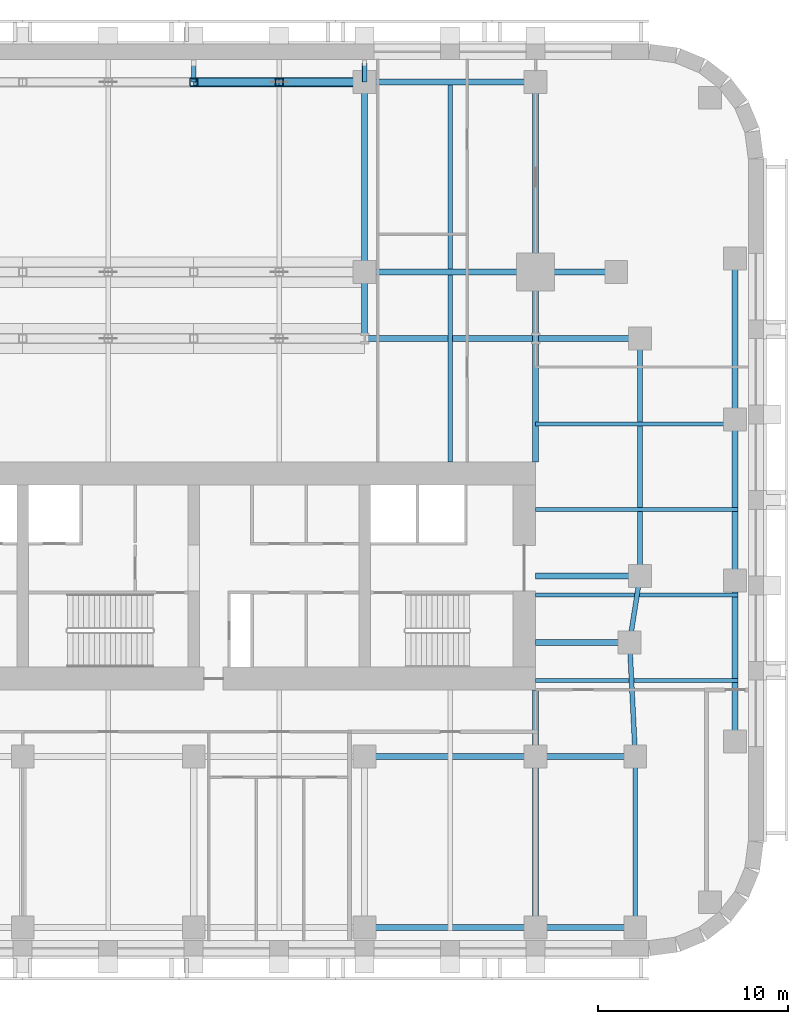
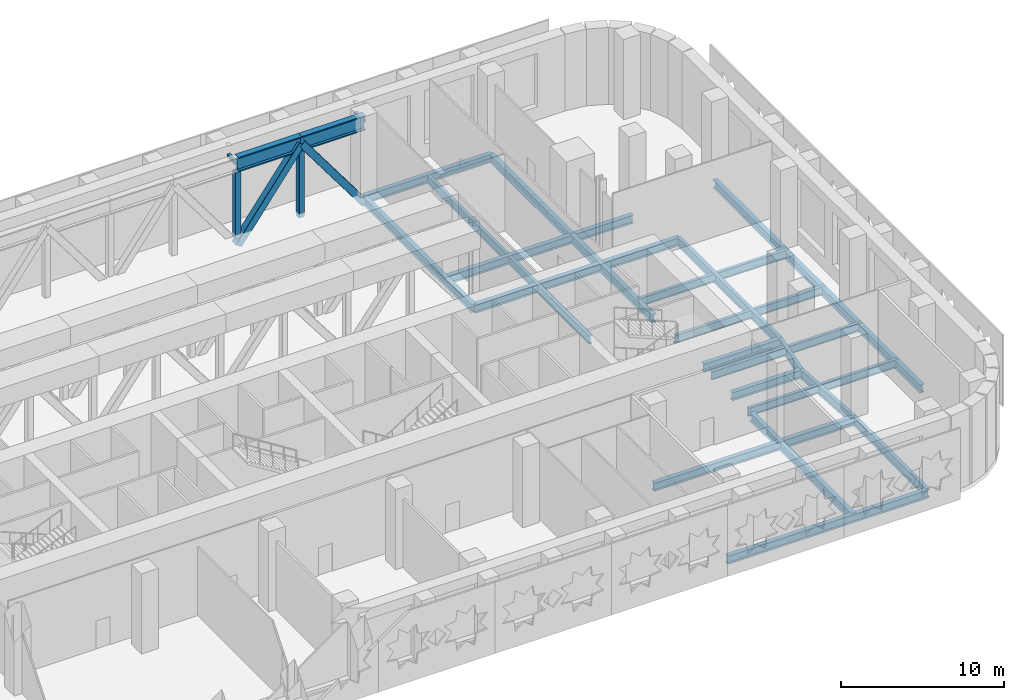
# One storey, part 3 of 15: 22 beams, 8 members.
"""IFC4 building model written with IfcOpenShell, lengths in metres."""

from ifc_helpers import new_model, si_unit, direction, frame, origin, origin_2d, place, context, subcontext, project, spatial, hollow_rectangle, i_section, extrude, material, material_profile, profile_set, type_object, element, save


model = new_model("IFC4")

# Units and contexts
model_context = context("Model", 3, precision=1e-05, world=origin(), true_north=direction((0.0, 1.0)))
body_context = subcontext(model_context, "Body", "Model", "MODEL_VIEW")
ifc_project = project(units=[si_unit("LENGTHUNIT", "METRE"), si_unit("AREAUNIT", "SQUARE_METRE"), si_unit("VOLUMEUNIT", "CUBIC_METRE"), si_unit("PLANEANGLEUNIT", "RADIAN"), si_unit("MASSUNIT", "GRAM", prefix="KILO")], contexts=[model_context])

# Site, building, storey
site_placement = place(None, origin())
site = spatial("IfcSite", under=ifc_project, at=site_placement, CompositionType="ELEMENT")
building_placement = place(site_placement, origin())
building = spatial("IfcBuilding", under=site, at=building_placement, Name="Zellij Exchange Tower", CompositionType="ELEMENT")
storey_placement = place(building_placement, frame((0.0, 0.0, 33.0)))
storey = spatial("IfcBuildingStorey", under=building, at=storey_placement, Name="L05", CompositionType="ELEMENT", Elevation=33.0)

# Beams
ifc_material_1 = material(Name="Structural steel ASTM A992 Gr 50", Category="steel")
ifc_material_profile_1 = material_profile(ifc_material_1, i_section(OverallWidth=0.22900390625, OverallDepth=0.612060546875, WebThickness=0.011962890625, FlangeThickness=0.01953125, at=origin_2d()), Name="W24x84")
ifc_profile_set_1 = profile_set([ifc_material_profile_1], Name="Structural steel ASTM A992 Gr 50")
beam_type_1 = type_object("IfcBeamType", Name="STR-BEAM W24x84", PredefinedType="BEAM", material=ifc_profile_set_1)
beam_1_placement = place(storey_placement, frame((22.5, -2.0, -0.606201171875), z_axis=(0.0, 1.0, 0.0), x_axis=(-1.0, 0.0, 0.0)))
element("IfcBeam", 1, at=beam_1_placement, inside=storey, type_object=beam_type_1, Name="B6", PredefinedType="BEAM", context=body_context, shape_type="SweptSolid", body=[
    extrude(i_section(OverallWidth=0.22900390625, OverallDepth=0.612060546875, WebThickness=0.011962890625, FlangeThickness=0.01953125, at=origin_2d()), origin(), (0.0, 0.0, 1.0), 20.16259765625),
])
for number, where, z_axis, x_axis, name in (
    (2, (27.0, -13.5, -0.606201171875), (1.0, 0.0, 0.0), (0.0, 1.0, 0.0), "B6"),
    (3, (27.0, -9.0, -0.606201171875), (1.0, 0.0, 0.0), (0.0, 1.0, 0.0), "B6"),
    (4, (27.0, -4.5, -0.606201171875), (1.0, 0.0, 0.0), (0.0, 1.0, 0.0), "B6"),
    (5, (27.0, 0.0, -0.606201171875), (1.0, 0.0, 0.0), (0.0, 1.0, 0.0), "B6"),
):
    element("IfcBeam", number, at=place(storey_placement, frame(where, z_axis=z_axis, x_axis=x_axis)), inside=storey, type_object=beam_type_1, Name=name, PredefinedType="BEAM", context=body_context, shape_type="SweptSolid", body=[
        extrude(i_section(OverallWidth=0.22900390625, OverallDepth=0.612060546875, WebThickness=0.011962890625, FlangeThickness=0.01953125, at=origin_2d()), origin(), (0.0, 0.0, 1.0), 10.66259765625),
    ])
ifc_material_profile_2 = material_profile(ifc_material_1, i_section(OverallWidth=0.25390625, OverallDepth=0.67822265625, WebThickness=0.01171875, FlangeThickness=0.016357421875, at=origin_2d()), Name="W27x84")
ifc_profile_set_2 = profile_set([ifc_material_profile_2], Name="Structural steel ASTM A992 Gr 50")
beam_type_2 = type_object("IfcBeamType", Name="STR-EDGE GIRDER W27x84", PredefinedType="BEAM", material=ifc_profile_set_2)
beam_2_placement = place(storey_placement, frame((32.25, -26.5, -0.63916015625), z_axis=(0.0, 1.0, 0.0), x_axis=(-1.0, 0.0, 0.0)))
element("IfcBeam", 6, at=beam_2_placement, inside=storey, type_object=beam_type_2, Name="EB7", PredefinedType="BEAM", context=body_context, shape_type="SweptSolid", body=[
    extrude(i_section(OverallWidth=0.25390625, OverallDepth=0.67822265625, WebThickness=0.01171875, FlangeThickness=0.016357421875, at=origin_2d()), origin(), (0.0, 0.0, 1.0), 9.0),
])
beam_3_placement = place(storey_placement, frame((32.25, -17.5, -0.63916015625), z_axis=(-0.049945724537, 0.998751933465, 0.0), x_axis=(-0.998751933465, -0.049945724537, 0.0)))
element("IfcBeam", 7, at=beam_3_placement, inside=storey, type_object=beam_type_2, Name="EB7", PredefinedType="BEAM", context=body_context, shape_type="SweptSolid", body=[
    extrude(i_section(OverallWidth=0.25390625, OverallDepth=0.67822265625, WebThickness=0.01171875, FlangeThickness=0.016357421875, at=origin_2d()), origin(), (0.0, 0.0, 1.0), 6.007568359375),
])
beam_4_placement = place(storey_placement, frame((31.949951171875, -11.5, -0.63916015625), z_axis=(0.155251283593, 0.987875011802, 0.0), x_axis=(-0.987875011802, 0.155251283593, 0.0)))
element("IfcBeam", 8, at=beam_4_placement, inside=storey, type_object=beam_type_2, Name="EB7", PredefinedType="BEAM", context=body_context, shape_type="SweptSolid", body=[
    extrude(i_section(OverallWidth=0.25390625, OverallDepth=0.67822265625, WebThickness=0.01171875, FlangeThickness=0.016357421875, at=origin_2d()), origin(), (0.0, 0.0, 1.0), 3.54296875),
])
beam_5_placement = place(storey_placement, frame((32.5, -8.0, -0.63916015625), z_axis=(0.0, 1.0, 0.0), x_axis=(-1.0, 0.0, 0.0)))
element("IfcBeam", 9, at=beam_5_placement, inside=storey, type_object=beam_type_2, Name="EB7", PredefinedType="BEAM", context=body_context, shape_type="SweptSolid", body=[
    extrude(i_section(OverallWidth=0.25390625, OverallDepth=0.67822265625, WebThickness=0.01171875, FlangeThickness=0.016357421875, at=origin_2d()), origin(), (0.0, 0.0, 1.0), 12.5),
])
ifc_material_profile_3 = material_profile(ifc_material_1, i_section(OverallWidth=0.3251953125, OverallDepth=0.612060546875, WebThickness=0.0126953125, FlangeThickness=0.01904296875, at=origin_2d()), Name="W24x104")
ifc_profile_set_3 = profile_set([ifc_material_profile_3], Name="Structural steel ASTM A992 Gr 50")
beam_type_3 = type_object("IfcBeamType", Name="STR-GIRDER W24x104", PredefinedType="BEAM", material=ifc_profile_set_3)
for number, where, z_axis, x_axis, name in (
    (10, (18.0, -26.5, -0.606201171875), (1.0, 0.0, 0.0), (0.0, 1.0, 0.0), "G3"),
    (11, (18.0, -17.5, -0.606201171875), (1.0, 0.0, 0.0), (0.0, 1.0, 0.0), "G3"),
):
    element("IfcBeam", number, at=place(storey_placement, frame(where, z_axis=z_axis, x_axis=x_axis)), inside=storey, type_object=beam_type_3, Name=name, PredefinedType="BEAM", context=body_context, shape_type="SweptSolid", body=[
        extrude(i_section(OverallWidth=0.3251953125, OverallDepth=0.612060546875, WebThickness=0.0126953125, FlangeThickness=0.01904296875, at=origin_2d()), origin(), (0.0, 0.0, 1.0), 14.25),
    ])
beam_6_placement = place(storey_placement, frame((27.0, -11.5, -0.606201171875), z_axis=(1.0, 0.0, 0.0), x_axis=(0.0, 1.0, 0.0)))
element("IfcBeam", 12, at=beam_6_placement, inside=storey, type_object=beam_type_3, Name="G3", PredefinedType="BEAM", context=body_context, shape_type="SweptSolid", body=[
    extrude(i_section(OverallWidth=0.3251953125, OverallDepth=0.612060546875, WebThickness=0.0126953125, FlangeThickness=0.01904296875, at=origin_2d()), origin(), (0.0, 0.0, 1.0), 4.949951171875),
])
beam_7_placement = place(storey_placement, frame((27.0, -8.0, -0.606201171875), z_axis=(1.0, 0.0, 0.0), x_axis=(0.0, 1.0, 0.0)))
element("IfcBeam", 13, at=beam_7_placement, inside=storey, type_object=beam_type_3, Name="G3", PredefinedType="BEAM", context=body_context, shape_type="SweptSolid", body=[
    extrude(i_section(OverallWidth=0.3251953125, OverallDepth=0.612060546875, WebThickness=0.0126953125, FlangeThickness=0.01904296875, at=origin_2d()), origin(), (0.0, 0.0, 1.0), 5.5),
])
beam_8_placement = place(storey_placement, frame((18.0, 4.5, -0.606201171875), z_axis=(1.0, 0.0, 0.0), x_axis=(0.0, 1.0, 0.0)))
element("IfcBeam", 14, at=beam_8_placement, inside=storey, type_object=beam_type_3, Name="G3", PredefinedType="BEAM", context=body_context, shape_type="SweptSolid", body=[
    extrude(i_section(OverallWidth=0.3251953125, OverallDepth=0.612060546875, WebThickness=0.0126953125, FlangeThickness=0.01904296875, at=origin_2d()), origin(), (0.0, 0.0, 1.0), 14.5),
])
beam_9_placement = place(storey_placement, frame((18.0, 8.0, -0.606201171875), z_axis=(1.0, 0.0, 0.0), x_axis=(0.0, 1.0, 0.0)))
element("IfcBeam", 15, at=beam_9_placement, inside=storey, type_object=beam_type_3, Name="G3", PredefinedType="BEAM", context=body_context, shape_type="SweptSolid", body=[
    extrude(i_section(OverallWidth=0.3251953125, OverallDepth=0.612060546875, WebThickness=0.0126953125, FlangeThickness=0.01904296875, at=origin_2d()), origin(), (0.0, 0.0, 1.0), 13.25),
])
beam_10_placement = place(storey_placement, frame((18.0, 18.0, -0.606201171875), z_axis=(1.0, 0.0, 0.0), x_axis=(0.0, 1.0, 0.0)))
element("IfcBeam", 16, at=beam_10_placement, inside=storey, type_object=beam_type_3, Name="G3", PredefinedType="BEAM", context=body_context, shape_type="SweptSolid", body=[
    extrude(i_section(OverallWidth=0.3251953125, OverallDepth=0.612060546875, WebThickness=0.0126953125, FlangeThickness=0.01904296875, at=origin_2d()), origin(), (0.0, 0.0, 1.0), 9.0),
])
beam_11_placement = place(storey_placement, frame((18.0, 4.5, -0.606201171875), z_axis=(0.0, 1.0, 0.0), x_axis=(-1.0, 0.0, 0.0)))
element("IfcBeam", 17, at=beam_11_placement, inside=storey, type_object=beam_type_3, Name="G3", PredefinedType="BEAM", context=body_context, shape_type="SweptSolid", body=[
    extrude(i_section(OverallWidth=0.3251953125, OverallDepth=0.612060546875, WebThickness=0.0126953125, FlangeThickness=0.01904296875, at=origin_2d()), origin(), (0.0, 0.0, 1.0), 13.5),
])
beam_12_placement = place(storey_placement, frame((27.0, -26.5, -0.606201171875), z_axis=(0.0, 1.0, 0.0), x_axis=(-1.0, 0.0, 0.0)))
element("IfcBeam", 18, at=beam_12_placement, inside=storey, type_object=beam_type_3, Name="G3", PredefinedType="BEAM", context=body_context, shape_type="SweptSolid", body=[
    extrude(i_section(OverallWidth=0.3251953125, OverallDepth=0.612060546875, WebThickness=0.0126953125, FlangeThickness=0.01904296875, at=origin_2d()), origin(), (0.0, 0.0, 1.0), 12.5),
])
for number, where, z_axis, x_axis, name in (
    (19, (27.0, -2.0, -0.606201171875), (0.0, 1.0, 0.0), (-1.0, 0.0, 0.0), "G3"),
    (20, (27.0, 8.0, -0.606201171875), (0.0, 1.0, 0.0), (-1.0, 0.0, 0.0), "G3"),
):
    element("IfcBeam", number, at=place(storey_placement, frame(where, z_axis=z_axis, x_axis=x_axis)), inside=storey, type_object=beam_type_3, Name=name, PredefinedType="BEAM", context=body_context, shape_type="SweptSolid", body=[
        extrude(i_section(OverallWidth=0.3251953125, OverallDepth=0.612060546875, WebThickness=0.0126953125, FlangeThickness=0.01904296875, at=origin_2d()), origin(), (0.0, 0.0, 1.0), 10.0),
    ])
beam_13_placement = place(storey_placement, frame((37.5, -16.708984375, -0.606201171875), z_axis=(0.0, 1.0, 0.0), x_axis=(-1.0, 0.0, 0.0)))
element("IfcBeam", 21, at=beam_13_placement, inside=storey, type_object=beam_type_3, Name="G3", PredefinedType="BEAM", context=body_context, shape_type="SweptSolid", body=[
    extrude(i_section(OverallWidth=0.3251953125, OverallDepth=0.612060546875, WebThickness=0.0126953125, FlangeThickness=0.01904296875, at=origin_2d()), origin(), (0.0, 0.0, 1.0), 16.945068359375),
])
beam_14_placement = place(storey_placement, frame((37.5, 0.236083984375, -0.606201171875), z_axis=(0.0, 1.0, 0.0), x_axis=(-1.0, 0.0, 0.0)))
element("IfcBeam", 22, at=beam_14_placement, inside=storey, type_object=beam_type_3, Name="G3", PredefinedType="BEAM", context=body_context, shape_type="SweptSolid", body=[
    extrude(i_section(OverallWidth=0.3251953125, OverallDepth=0.612060546875, WebThickness=0.0126953125, FlangeThickness=0.01904296875, at=origin_2d()), origin(), (0.0, 0.0, 1.0), 8.472900390625),
])

# Members
ifc_material_2 = material(Name="Structural steel ASTM A913 Gr 65", Category="steel")
ifc_material_profile_4 = material_profile(ifc_material_2, i_section(OverallWidth=0.424072265625, OverallDepth=1.09228515625, WebThickness=0.04541015625, FlangeThickness=0.08203125, at=origin_2d()), Name="W40x593")
ifc_profile_set_4 = profile_set([ifc_material_profile_4], Name="Structural steel ASTM A913 Gr 65")
member_type_1 = type_object("IfcMemberType", Name="STR-PODIUM TRANSFER TRUSS CHORD W40x593", PredefinedType="CHORD", material=ifc_profile_set_4)
for number, where, z_axis, x_axis, name in (
    (23, (9.0, 18.0, 5.203857421875), (1.0, 0.0, 0.0), (0.0, 1.0, 0.0), "PT1"),
    (24, (13.5, 18.0, 5.203857421875), (1.0, 0.0, 0.0), (0.0, 1.0, 0.0), "PT1"),
):
    element("IfcMember", number, at=place(storey_placement, frame(where, z_axis=z_axis, x_axis=x_axis)), inside=storey, type_object=member_type_1, Name=name, PredefinedType="CHORD", context=body_context, shape_type="SweptSolid", body=[
        extrude(i_section(OverallWidth=0.424072265625, OverallDepth=1.09228515625, WebThickness=0.04541015625, FlangeThickness=0.08203125, at=origin_2d()), origin(), (0.0, 0.0, 1.0), 4.5),
    ])
ifc_material_3 = material(Name="Structural steel ASTM A500 Gr C", Category="steel")
ifc_material_profile_5 = material_profile(ifc_material_3, hollow_rectangle(XDim=0.508056640625, YDim=0.508056640625, WallThickness=0.0146484375, InnerFilletRadius=0.0146484375, OuterFilletRadius=0.029541015625, at=origin_2d()), Name="STR-PODIUM TRANSFER TRUSS DIAGONAL HSS20x20x5/8")
ifc_profile_set_5 = profile_set([ifc_material_profile_5], Name="Structural steel ASTM A500 Gr C")
member_type_2 = type_object("IfcMemberType", Name="STR-PODIUM TRANSFER TRUSS DIAGONAL HSS20x20x5/8", PredefinedType="BRACE", material=ifc_profile_set_5)
for number, where, z_axis, x_axis, name in (
    (25, (9.0, 18.0, -0.84619140625), (0.596809151099, 0.0, 0.802383223382), (0.0, 1.0, 0.0), "PT2"),
    (26, (13.5, 18.0, 5.203857421875), (0.596809151099, 0.0, -0.802383223382), (0.0, 1.0, 0.0), "PT2"),
):
    element("IfcMember", number, at=place(storey_placement, frame(where, z_axis=z_axis, x_axis=x_axis)), inside=storey, type_object=member_type_2, Name=name, PredefinedType="BRACE", context=body_context, shape_type="SweptSolid", body=[
        extrude(hollow_rectangle(XDim=0.508056640625, YDim=0.508056640625, WallThickness=0.0146484375, InnerFilletRadius=0.0146484375, OuterFilletRadius=0.029541015625, at=origin_2d()), origin(), (0.0, 0.0, 1.0), 7.5400390625),
    ])
ifc_material_profile_6 = material_profile(ifc_material_3, hollow_rectangle(XDim=0.406494140625, YDim=0.406494140625, WallThickness=0.0146484375, InnerFilletRadius=0.0146484375, OuterFilletRadius=0.029541015625, at=origin_2d()), Name="STR-PODIUM TRANSFER TRUSS POST HSS16x16x5/8")
ifc_profile_set_6 = profile_set([ifc_material_profile_6], Name="Structural steel ASTM A500 Gr C")
member_type_3 = type_object("IfcMemberType", Name="STR-PODIUM TRANSFER TRUSS POST HSS16x16x5/8", PredefinedType="POST", material=ifc_profile_set_6)
for number, where, z_axis, x_axis, name in (
    (27, (9.0, 18.0, -0.300048828125), (0.0, 0.0, 1.0), (1.0, 0.0, 0.0), "PT3"),
    (28, (13.5, 18.0, -0.300048828125), (0.0, 0.0, 1.0), (1.0, 0.0, 0.0), "PT3"),
):
    element("IfcMember", number, at=place(storey_placement, frame(where, z_axis=z_axis, x_axis=x_axis)), inside=storey, type_object=member_type_3, Name=name, PredefinedType="POST", context=body_context, shape_type="SweptSolid", body=[
        extrude(hollow_rectangle(XDim=0.406494140625, YDim=0.406494140625, WallThickness=0.0146484375, InnerFilletRadius=0.0146484375, OuterFilletRadius=0.029541015625, at=origin_2d()), origin(), (0.0, 0.0, 1.0), 4.957763671875),
    ])
ifc_material_profile_7 = material_profile(ifc_material_3, hollow_rectangle(XDim=0.25390625, YDim=0.25390625, WallThickness=0.0087890625, InnerFilletRadius=0.0087890625, OuterFilletRadius=0.017822265625, at=origin_2d()), Name="STR-WIND POST TIE HSS10x10x3/8")
ifc_profile_set_7 = profile_set([ifc_material_profile_7], Name="Structural steel ASTM A500 Gr C")
member_type_4 = type_object("IfcMemberType", Name="STR-WIND POST TIE HSS10x10x3/8", PredefinedType="MEMBER", material=ifc_profile_set_7)
for number, where, z_axis, x_axis, name in (
    (29, (9.0, 19.0, 5.203857421875), (0.0, -1.0, 0.0), (1.0, 0.0, 0.0), "WT"),
    (30, (18.0, 19.0, 5.203857421875), (0.0, -1.0, 0.0), (1.0, 0.0, 0.0), "WT"),
):
    element("IfcMember", number, at=place(storey_placement, frame(where, z_axis=z_axis, x_axis=x_axis)), inside=storey, type_object=member_type_4, Name=name, PredefinedType="MEMBER", context=body_context, shape_type="SweptSolid", body=[
        extrude(hollow_rectangle(XDim=0.25390625, YDim=0.25390625, WallThickness=0.0087890625, InnerFilletRadius=0.0087890625, OuterFilletRadius=0.017822265625, at=origin_2d()), origin(), (0.0, 0.0, 1.0), 1.0),
    ])

save(model, "model.ifc")
